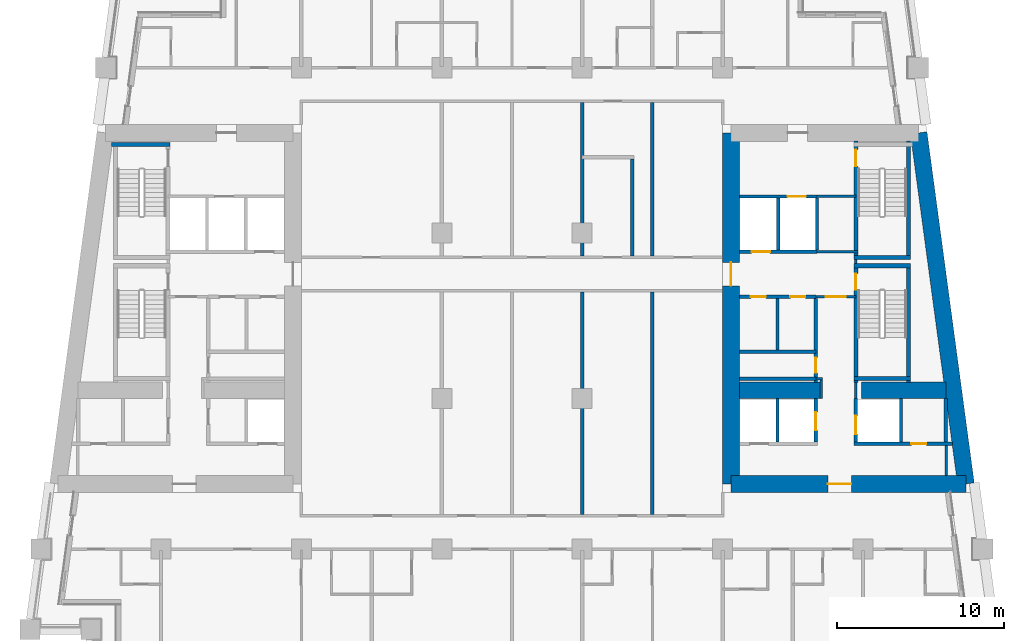
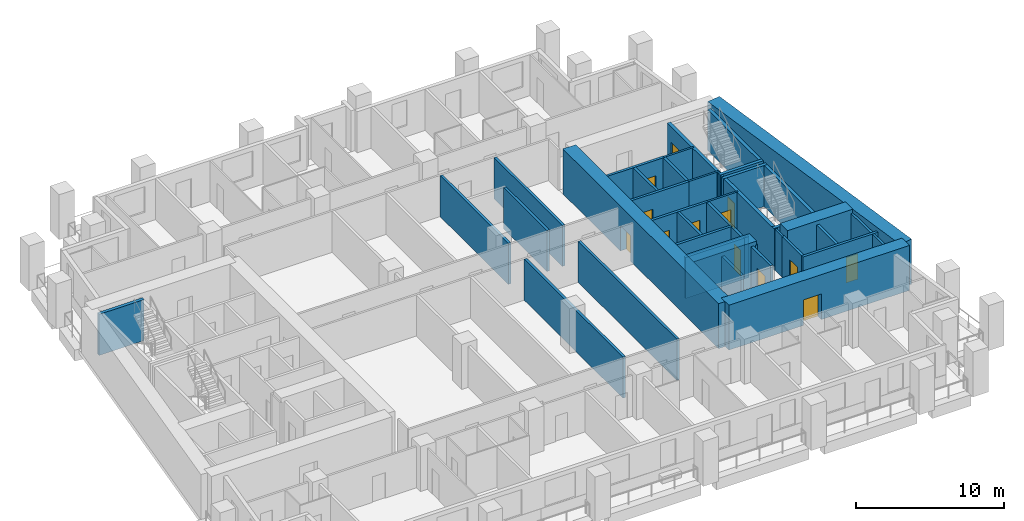
# One storey, part 5 of 13: 41 walls, 13 doors, 13 openings.
"""IFC4 building model written with IfcOpenShell, lengths in metres."""

from ifc_helpers import new_model, si_unit, direction, frame, frame_2d, origin, place, context, subcontext, project, spatial, rectangle, extrude, material, layer, layer_set, type_object, element, fill, save


model = new_model("IFC4")

# Units and contexts
model_context = context("Model", 3, precision=1e-05, world=origin(), true_north=direction((0.0, 1.0)))
body_context = subcontext(model_context, "Body", "Model", "MODEL_VIEW")
ifc_project = project(units=[si_unit("LENGTHUNIT", "METRE"), si_unit("AREAUNIT", "SQUARE_METRE"), si_unit("VOLUMEUNIT", "CUBIC_METRE"), si_unit("PLANEANGLEUNIT", "RADIAN"), si_unit("MASSUNIT", "GRAM", prefix="KILO")], contexts=[model_context])

# Site, building, storey
site_placement = place(None, origin())
site = spatial("IfcSite", under=ifc_project, at=site_placement, CompositionType="ELEMENT")
building_placement = place(site_placement, origin())
building = spatial("IfcBuilding", under=site, at=building_placement, Name="Candeia Pilgrim Tower and Theatre", CompositionType="ELEMENT")
storey_placement = place(building_placement, frame((0.0, 0.0, 109.5)))
storey = spatial("IfcBuildingStorey", under=building, at=storey_placement, Name="L25", CompositionType="ELEMENT", Elevation=109.5)

# Wall
ifc_material_1 = material(Name="Concrete C70/85", Category="concrete")
ifc_layer_1 = layer(ifc_material_1, 1.0)
ifc_layer_set_1 = layer_set([ifc_layer_1], Name="Core wall 1000 C70/85")
wall_type_1 = type_object("IfcWallType", Name="Core wall 1000 C70/85", PredefinedType="SHEAR", material=ifc_layer_set_1)
wall_1_placement = place(storey_placement, frame((137.73193359375, 131.89990234375, 0.0), z_axis=(0.0, 0.0, 1.0), x_axis=(0.133411141623, -0.991060778808, 0.0)))
element("IfcWall", 1, at=wall_1_placement, inside=storey, type_object=wall_type_1, Name="Core wall E2", PredefinedType="SHEAR", context=body_context, shape_type="SweptSolid", body=[
    extrude(rectangle(XDim=21.189453125, YDim=1.0, at=frame_2d((10.5947265625, 0.0))), origin(), (0.0, 0.0, 1.0), 3.699951171875),
])

# Wall, opening, door
wall_2_placement = place(storey_placement, frame((140.558837890625, 110.89990234375, 0.0), z_axis=(0.0, 0.0, 1.0), x_axis=(-1.0, 0.0, 0.0)))
wall_2 = element("IfcWall", 2, at=wall_2_placement, inside=storey, type_object=wall_type_1, Name="Core wall E3", PredefinedType="SHEAR", context=body_context, shape_type="SweptSolid", body=[
    extrude(rectangle(XDim=14.058837890625, YDim=1.0, at=frame_2d((7.029296875, 0.0))), origin(), (0.0, 0.0, 1.0), 3.699951171875),
])
opening_1_placement = place(wall_2_placement, frame((6.857666015625, 0.0, 0.0)))
opening_1 = element("IfcOpeningElement", 3, at=opening_1_placement, cuts=wall_2, Name="Opening L25-D064", PredefinedType="OPENING", context=body_context, shape_type="SweptSolid", body=[
    extrude(rectangle(XDim=1.39990234375, YDim=2.10009765625, at=frame_2d((0.699951171875, 1.050048828125))), frame((0.0, 0.510009765625, 0.0), z_axis=(0.0, -1.0, 0.0), x_axis=(1.0, 0.0, 0.0)), (0.0, 0.0, 1.0), 1.02001953125),
])
ifc_material_2 = material(Name="Steel fire door set", Category="steel")
door_type_1 = type_object("IfcDoorType", Name="D-1400-FD60", OperationType="NOTDEFINED", PredefinedType="DOOR", material=ifc_material_2)
door_1_placement = place(opening_1_placement, origin())
door_1 = element("IfcDoor", 4, at=door_1_placement, inside=storey, type_object=door_type_1, Name="Door L25-D064", OperationType="SINGLE_SWING_LEFT", OverallHeight=2.10009765625, OverallWidth=1.39990234375, PredefinedType="DOOR", context=body_context, shape_type="SweptSolid", body=[
    extrude(rectangle(XDim=1.39990234375, YDim=2.10009765625, at=frame_2d((0.699951171875, 1.050048828125))), frame((0.0, 0.02490234375, 0.0), z_axis=(0.0, -1.0, 0.0), x_axis=(1.0, 0.0, 0.0)), (0.0, 0.0, 1.0), 0.050048828125),
])
fill(opening_1, door_1)

wall_3_placement = place(storey_placement, frame((126.5, 110.89990234375, 0.0), z_axis=(0.0, 0.0, 1.0), x_axis=(0.0, 1.0, 0.0)))
wall_3 = element("IfcWall", 5, at=wall_3_placement, inside=storey, type_object=wall_type_1, Name="Core wall E4", PredefinedType="SHEAR", context=body_context, shape_type="SweptSolid", body=[
    extrude(rectangle(XDim=21.0, YDim=1.0, at=frame_2d((10.5, 0.0))), origin(), (0.0, 0.0, 1.0), 3.699951171875),
])
opening_2_placement = place(wall_3_placement, frame((11.85009765625, 0.0, 0.0)))
opening_2 = element("IfcOpeningElement", 6, at=opening_2_placement, cuts=wall_3, Name="Opening L25-D066", PredefinedType="OPENING", context=body_context, shape_type="SweptSolid", body=[
    extrude(rectangle(XDim=1.39990234375, YDim=2.10009765625, at=frame_2d((0.699951171875, 1.050048828125))), frame((0.0, 0.510009765625, 0.0), z_axis=(0.0, -1.0, 0.0), x_axis=(1.0, 0.0, 0.0)), (0.0, 0.0, 1.0), 1.02001953125),
])
door_2_placement = place(opening_2_placement, origin())
door_2 = element("IfcDoor", 7, at=door_2_placement, inside=storey, type_object=door_type_1, Name="Door L25-D066", OperationType="SINGLE_SWING_LEFT", OverallHeight=2.10009765625, OverallWidth=1.39990234375, PredefinedType="DOOR", context=body_context, shape_type="SweptSolid", body=[
    extrude(rectangle(XDim=1.39990234375, YDim=2.10009765625, at=frame_2d((0.699951171875, 1.050048828125))), frame((0.0, 0.02490234375, 0.0), z_axis=(0.0, -1.0, 0.0), x_axis=(1.0, 0.0, 0.0)), (0.0, 0.0, 1.0), 0.050048828125),
])
fill(opening_2, door_2)

# Walls
wall_4_placement = place(storey_placement, frame((127.0, 116.5, 0.0), z_axis=(0.0, 0.0, 1.0), x_axis=(1.0, 0.0, 0.0)))
element("IfcWall", 8, at=wall_4_placement, inside=storey, type_object=wall_type_1, Name="Core wall E5", PredefinedType="SHEAR", context=body_context, shape_type="SweptSolid", body=[
    extrude(rectangle(XDim=4.89990234375, YDim=1.0, at=frame_2d((2.449951171875, 0.0))), origin(), (0.0, 0.0, 1.0), 3.699951171875),
])
wall_5_placement = place(storey_placement, frame((134.300048828125, 116.5, 0.0), z_axis=(0.0, 0.0, 1.0), x_axis=(1.0, 0.0, 0.0)))
element("IfcWall", 9, at=wall_5_placement, inside=storey, type_object=wall_type_1, Name="Core wall E6", PredefinedType="SHEAR", context=body_context, shape_type="SweptSolid", body=[
    extrude(rectangle(XDim=5.076904296875, YDim=1.0, at=frame_2d((2.53857421875, 0.0))), origin(), (0.0, 0.0, 1.0), 3.699951171875),
])
ifc_material_3 = material(Name="Gypsum board partition on steel studs", Category="steel")
ifc_layer_2 = layer(ifc_material_3, 0.14990234375)
ifc_layer_set_2 = layer_set([ifc_layer_2], Name="PW-150 lobby wall")
wall_type_2 = type_object("IfcWallType", Name="PW-150 lobby wall", PredefinedType="PARTITIONING", material=ifc_layer_set_2)
wall_6_placement = place(storey_placement, frame((131.572998046875, 117.199951171875, 0.0), z_axis=(0.0, 0.0, 1.0), x_axis=(1.0, 0.0, 0.0)))
element("IfcWall", 10, at=wall_6_placement, inside=storey, type_object=wall_type_2, Name="Lobby wall L25-016", PredefinedType="PARTITIONING", context=body_context, shape_type="SweptSolid", body=[
    extrude(rectangle(XDim=0.402099609375, YDim=0.14990234375, at=frame_2d((0.201171875, 0.0))), origin(), (0.0, 0.0, 1.0), 3.3798828125),
])

# Wall, opening, door
wall_7_placement = place(storey_placement, frame((131.572998046875, 122.10009765625, 0.0), z_axis=(0.0, 0.0, 1.0), x_axis=(1.0, 0.0, 0.0)))
wall_7 = element("IfcWall", 11, at=wall_7_placement, inside=storey, type_object=wall_type_2, Name="Lobby wall L25-024", PredefinedType="PARTITIONING", context=body_context, shape_type="SweptSolid", body=[
    extrude(rectangle(XDim=2.39990234375, YDim=0.14990234375, at=frame_2d((1.199951171875, 0.0))), origin(), (0.0, 0.0, 1.0), 3.3798828125),
])
opening_3_placement = place(wall_7_placement, frame((0.60009765625, 0.0, 0.0)))
opening_3 = element("IfcOpeningElement", 12, at=opening_3_placement, cuts=wall_7, Name="Opening L25-D010", PredefinedType="OPENING", context=body_context, shape_type="SweptSolid", body=[
    extrude(rectangle(XDim=1.199951171875, YDim=2.10009765625, at=frame_2d((0.60009765625, 1.050048828125))), frame((0.0, 0.0849609375, 0.0), z_axis=(0.0, -1.0, 0.0), x_axis=(1.0, 0.0, 0.0)), (0.0, 0.0, 1.0), 0.169921875),
])
door_type_2 = type_object("IfcDoorType", Name="D-1200-FD60", OperationType="NOTDEFINED", PredefinedType="DOOR", material=ifc_material_2)
door_3_placement = place(opening_3_placement, origin())
door_3 = element("IfcDoor", 13, at=door_3_placement, inside=storey, type_object=door_type_2, Name="Door L25-D010", OperationType="SINGLE_SWING_RIGHT", OverallHeight=2.10009765625, OverallWidth=1.199951171875, PredefinedType="DOOR", context=body_context, shape_type="SweptSolid", body=[
    extrude(rectangle(XDim=1.199951171875, YDim=2.10009765625, at=frame_2d((0.60009765625, 1.050048828125))), frame((0.0, 0.02490234375, 0.0), z_axis=(0.0, -1.0, 0.0), x_axis=(1.0, 0.0, 0.0)), (0.0, 0.0, 1.0), 0.050048828125),
])
fill(opening_3, door_3)

# Walls
wall_8_placement = place(storey_placement, frame((131.648681640625, 124.800048828125, 0.0), z_axis=(0.0, 0.0, 1.0), x_axis=(1.0, 0.0, 0.0)))
element("IfcWall", 14, at=wall_8_placement, inside=storey, type_object=wall_type_2, Name="Lobby wall L25-033", PredefinedType="PARTITIONING", context=body_context, shape_type="SweptSolid", body=[
    extrude(rectangle(XDim=2.44921875, YDim=0.14990234375, at=frame_2d((1.224609375, 0.0))), origin(), (0.0, 0.0, 1.0), 3.3798828125),
])
wall_9_placement = place(storey_placement, frame((131.648681640625, 128.10009765625, 0.0), z_axis=(0.0, 0.0, 1.0), x_axis=(1.0, 0.0, 0.0)))
element("IfcWall", 15, at=wall_9_placement, inside=storey, type_object=wall_type_2, Name="Lobby wall L25-036", PredefinedType="PARTITIONING", context=body_context, shape_type="SweptSolid", body=[
    extrude(rectangle(XDim=2.32421875, YDim=0.14990234375, at=frame_2d((1.162109375, 0.0))), origin(), (0.0, 0.0, 1.0), 3.3798828125),
])
wall_10_placement = place(storey_placement, frame((131.89990234375, 116.0, 0.0), z_axis=(0.0, 0.0, 1.0), x_axis=(0.0, 1.0, 0.0)))
element("IfcWall", 16, at=wall_10_placement, inside=storey, type_object=wall_type_2, Name="Lobby wall L25-110", PredefinedType="PARTITIONING", context=body_context, shape_type="SweptSolid", body=[
    extrude(rectangle(XDim=1.125, YDim=0.14990234375, at=frame_2d((0.5625, 0.0))), origin(), (0.0, 0.0, 1.0), 3.3798828125),
])
wall_11_placement = place(storey_placement, frame((133.972900390625, 116.0, 0.0), z_axis=(0.0, 0.0, 1.0), x_axis=(0.0, 1.0, 0.0)))
element("IfcWall", 17, at=wall_11_placement, inside=storey, type_object=wall_type_2, Name="Lobby wall L25-114", PredefinedType="PARTITIONING", context=body_context, shape_type="SweptSolid", body=[
    extrude(rectangle(XDim=0.969970703125, YDim=0.14990234375, at=frame_2d((0.48486328125, 0.0))), origin(), (0.0, 0.0, 1.0), 3.3798828125),
])
wall_12_placement = place(storey_placement, frame((133.972900390625, 124.074951171875, 0.0), z_axis=(0.0, 0.0, 1.0), x_axis=(0.0, 1.0, 0.0)))
element("IfcWall", 18, at=wall_12_placement, inside=storey, type_object=wall_type_2, Name="Lobby wall L25-115", PredefinedType="PARTITIONING", context=body_context, shape_type="SweptSolid", body=[
    extrude(rectangle(XDim=0.25, YDim=0.14990234375, at=frame_2d((0.125, 0.0))), origin(), (0.0, 0.0, 1.0), 3.3798828125),
])
wall_13_placement = place(storey_placement, frame((139.37109375, 111.39990234375, 0.0), z_axis=(0.0, 0.0, 1.0), x_axis=(0.0, 1.0, 0.0)))
element("IfcWall", 19, at=wall_13_placement, inside=storey, type_object=wall_type_2, Name="Lobby wall L25-124", PredefinedType="PARTITIONING", context=body_context, shape_type="SweptSolid", body=[
    extrude(rectangle(XDim=1.800048828125, YDim=0.14990234375, at=frame_2d((0.89990234375, 0.0))), origin(), (0.0, 0.0, 1.0), 3.3798828125),
])
ifc_layer_3 = layer(ifc_material_3, 0.199951171875)
ifc_layer_set_3 = layer_set([ifc_layer_3], Name="PW-200 party wall")
wall_type_3 = type_object("IfcWallType", Name="PW-200 party wall", PredefinedType="PARTITIONING", material=ifc_layer_set_3)
wall_14_placement = place(storey_placement, frame((117.60009765625, 109.074951171875, 0.0), z_axis=(0.0, 0.0, 1.0), x_axis=(0.0, 1.0, 0.0)))
element("IfcWall", 20, at=wall_14_placement, inside=storey, type_object=wall_type_3, Name="Party wall L25-086", PredefinedType="PARTITIONING", context=body_context, shape_type="SweptSolid", body=[
    extrude(rectangle(XDim=13.300048828125, YDim=0.199951171875, at=frame_2d((6.64990234375, 0.0))), origin(), (0.0, 0.0, 1.0), 3.3798828125),
])
wall_15_placement = place(storey_placement, frame((117.60009765625, 124.52490234375, 0.0), z_axis=(0.0, 0.0, 1.0), x_axis=(0.0, 1.0, 0.0)))
element("IfcWall", 21, at=wall_15_placement, inside=storey, type_object=wall_type_3, Name="Party wall L25-087", PredefinedType="PARTITIONING", context=body_context, shape_type="SweptSolid", body=[
    extrude(rectangle(XDim=9.2001953125, YDim=0.199951171875, at=frame_2d((4.60009765625, 0.0))), origin(), (0.0, 0.0, 1.0), 3.3798828125),
])
wall_16_placement = place(storey_placement, frame((120.60009765625, 124.52490234375, 0.0), z_axis=(0.0, 0.0, 1.0), x_axis=(0.0, 1.0, 0.0)))
element("IfcWall", 22, at=wall_16_placement, inside=storey, type_object=wall_type_3, Name="Party wall L25-091", PredefinedType="PARTITIONING", context=body_context, shape_type="SweptSolid", body=[
    extrude(rectangle(XDim=5.8251953125, YDim=0.199951171875, at=frame_2d((2.91259765625, 0.0))), origin(), (0.0, 0.0, 1.0), 3.3798828125),
])
wall_17_placement = place(storey_placement, frame((121.800048828125, 109.074951171875, 0.0), z_axis=(0.0, 0.0, 1.0), x_axis=(0.0, 1.0, 0.0)))
element("IfcWall", 23, at=wall_17_placement, inside=storey, type_object=wall_type_3, Name="Party wall L25-093", PredefinedType="PARTITIONING", context=body_context, shape_type="SweptSolid", body=[
    extrude(rectangle(XDim=13.300048828125, YDim=0.199951171875, at=frame_2d((6.64990234375, 0.0))), origin(), (0.0, 0.0, 1.0), 3.3798828125),
])
wall_18_placement = place(storey_placement, frame((121.800048828125, 124.52490234375, 0.0), z_axis=(0.0, 0.0, 1.0), x_axis=(0.0, 1.0, 0.0)))
element("IfcWall", 24, at=wall_18_placement, inside=storey, type_object=wall_type_3, Name="Party wall L25-094", PredefinedType="PARTITIONING", context=body_context, shape_type="SweptSolid", body=[
    extrude(rectangle(XDim=9.2001953125, YDim=0.199951171875, at=frame_2d((4.60009765625, 0.0))), origin(), (0.0, 0.0, 1.0), 3.3798828125),
])

# Wall, opening, door
ifc_material_4 = material(Name="Concrete C40/50", Category="concrete")
ifc_layer_4 = layer(ifc_material_4, 0.199951171875)
ifc_layer_set_4 = layer_set([ifc_layer_4], Name="SW-200 shaft wall")
wall_type_4 = type_object("IfcWallType", Name="SW-200 shaft wall", PredefinedType="PARTITIONING", material=ifc_layer_set_4)
wall_19_placement = place(storey_placement, frame((133.873046875, 113.300048828125, 0.0), z_axis=(0.0, 0.0, 1.0), x_axis=(1.0, 0.0, 0.0)))
wall_19 = element("IfcWall", 25, at=wall_19_placement, inside=storey, type_object=wall_type_4, Name="Shaft wall L25-012", PredefinedType="PARTITIONING", context=body_context, shape_type="SweptSolid", body=[
    extrude(rectangle(XDim=5.888427734375, YDim=0.199951171875, at=frame_2d((2.9443359375, 0.0))), origin(), (0.0, 0.0, 1.0), 3.3798828125),
])
opening_4_placement = place(wall_19_placement, frame((3.424072265625, 0.0, 0.0)))
opening_4 = element("IfcOpeningElement", 26, at=opening_4_placement, cuts=wall_19, Name="Opening L25-D016", PredefinedType="OPENING", context=body_context, shape_type="SweptSolid", body=[
    extrude(rectangle(XDim=0.89990234375, YDim=2.10009765625, at=frame_2d((0.449951171875, 1.050048828125))), frame((0.0, 0.10986328125, 0.0), z_axis=(0.0, -1.0, 0.0), x_axis=(1.0, 0.0, 0.0)), (0.0, 0.0, 1.0), 0.219970703125),
])
door_type_3 = type_object("IfcDoorType", Name="D-900-FD60", OperationType="NOTDEFINED", PredefinedType="DOOR", material=ifc_material_2)
door_4_placement = place(opening_4_placement, origin())
door_4 = element("IfcDoor", 27, at=door_4_placement, inside=storey, type_object=door_type_3, Name="Door L25-D016", OperationType="SINGLE_SWING_LEFT", OverallHeight=2.10009765625, OverallWidth=0.89990234375, PredefinedType="DOOR", context=body_context, shape_type="SweptSolid", body=[
    extrude(rectangle(XDim=0.89990234375, YDim=2.10009765625, at=frame_2d((0.449951171875, 1.050048828125))), frame((0.0, 0.02490234375, 0.0), z_axis=(0.0, -1.0, 0.0), x_axis=(1.0, 0.0, 0.0)), (0.0, 0.0, 1.0), 0.050048828125),
])
fill(opening_4, door_4)

# Walls
for number, where, z_axis, x_axis, name in (
    (28, (127.0, 117.199951171875, 0.0), (0.0, 0.0, 1.0), (1.0, 0.0, 0.0), "Shaft wall L25-014"),
    (29, (127.0, 118.800048828125, 0.0), (0.0, 0.0, 1.0), (1.0, 0.0, 0.0), "Shaft wall L25-020"),
):
    element("IfcWall", number, at=place(storey_placement, frame(where, z_axis=z_axis, x_axis=x_axis)), inside=storey, type_object=wall_type_4, Name=name, PredefinedType="PARTITIONING", context=body_context, shape_type="SweptSolid", body=[
        extrude(rectangle(XDim=4.572998046875, YDim=0.199951171875, at=frame_2d((2.28662109375, 0.0))), origin(), (0.0, 0.0, 1.0), 3.3798828125),
    ])

# Wall, openings, doors
wall_20_placement = place(storey_placement, frame((127.0, 122.10009765625, 0.0), z_axis=(0.0, 0.0, 1.0), x_axis=(1.0, 0.0, 0.0)))
wall_20 = element("IfcWall", 30, at=wall_20_placement, inside=storey, type_object=wall_type_4, Name="Shaft wall L25-022", PredefinedType="PARTITIONING", context=body_context, shape_type="SweptSolid", body=[
    extrude(rectangle(XDim=4.572998046875, YDim=0.199951171875, at=frame_2d((2.28662109375, 0.0))), origin(), (0.0, 0.0, 1.0), 3.3798828125),
])
opening_5_placement = place(wall_20_placement, frame((3.048095703125, 0.0, 0.0)))
opening_5 = element("IfcOpeningElement", 31, at=opening_5_placement, cuts=wall_20, Name="Opening L25-D011", PredefinedType="OPENING", context=body_context, shape_type="SweptSolid", body=[
    extrude(rectangle(XDim=0.89990234375, YDim=2.10009765625, at=frame_2d((0.449951171875, 1.050048828125))), frame((0.0, 0.10986328125, 0.0), z_axis=(0.0, -1.0, 0.0), x_axis=(1.0, 0.0, 0.0)), (0.0, 0.0, 1.0), 0.219970703125),
])
opening_6_placement = place(wall_20_placement, frame((0.693115234375, 0.0, 0.0)))
opening_6 = element("IfcOpeningElement", 32, at=opening_6_placement, cuts=wall_20, Name="Opening L25-D012", PredefinedType="OPENING", context=body_context, shape_type="SweptSolid", body=[
    extrude(rectangle(XDim=0.89990234375, YDim=2.10009765625, at=frame_2d((0.449951171875, 1.050048828125))), frame((0.0, 0.10986328125, 0.0), z_axis=(0.0, -1.0, 0.0), x_axis=(1.0, 0.0, 0.0)), (0.0, 0.0, 1.0), 0.219970703125),
])
door_5_placement = place(opening_5_placement, origin())
door_5 = element("IfcDoor", 33, at=door_5_placement, inside=storey, type_object=door_type_3, Name="Door L25-D011", OperationType="SINGLE_SWING_LEFT", OverallHeight=2.10009765625, OverallWidth=0.89990234375, PredefinedType="DOOR", context=body_context, shape_type="SweptSolid", body=[
    extrude(rectangle(XDim=0.89990234375, YDim=2.10009765625, at=frame_2d((0.449951171875, 1.050048828125))), frame((0.0, 0.02490234375, 0.0), z_axis=(0.0, -1.0, 0.0), x_axis=(1.0, 0.0, 0.0)), (0.0, 0.0, 1.0), 0.050048828125),
])
fill(opening_5, door_5)
door_6_placement = place(opening_6_placement, origin())
door_6 = element("IfcDoor", 34, at=door_6_placement, inside=storey, type_object=door_type_3, Name="Door L25-D012", OperationType="SINGLE_SWING_RIGHT", OverallHeight=2.10009765625, OverallWidth=0.89990234375, PredefinedType="DOOR", context=body_context, shape_type="SweptSolid", body=[
    extrude(rectangle(XDim=0.89990234375, YDim=2.10009765625, at=frame_2d((0.449951171875, 1.050048828125))), frame((0.0, 0.02490234375, 0.0), z_axis=(0.0, -1.0, 0.0), x_axis=(1.0, 0.0, 0.0)), (0.0, 0.0, 1.0), 0.050048828125),
])
fill(opening_6, door_6)

# Wall, opening, door
wall_21_placement = place(storey_placement, frame((127.0, 124.800048828125, 0.0), z_axis=(0.0, 0.0, 1.0), x_axis=(1.0, 0.0, 0.0)))
wall_21 = element("IfcWall", 35, at=wall_21_placement, inside=storey, type_object=wall_type_4, Name="Shaft wall L25-032", PredefinedType="PARTITIONING", context=body_context, shape_type="SweptSolid", body=[
    extrude(rectangle(XDim=4.648681640625, YDim=0.199951171875, at=frame_2d((2.32421875, 0.0))), origin(), (0.0, 0.0, 1.0), 3.3798828125),
])
opening_7_placement = place(wall_21_placement, frame((0.742919921875, 0.0, 0.0)))
opening_7 = element("IfcOpeningElement", 36, at=opening_7_placement, cuts=wall_21, Name="Opening L25-LD05", PredefinedType="OPENING", context=body_context, shape_type="SweptSolid", body=[
    extrude(rectangle(XDim=1.10009765625, YDim=2.10009765625, at=frame_2d((0.550048828125, 1.050048828125))), frame((0.0, 0.10986328125, 0.0), z_axis=(0.0, -1.0, 0.0), x_axis=(1.0, 0.0, 0.0)), (0.0, 0.0, 1.0), 0.219970703125),
])
ifc_material_5 = material(Name="Glazed aluminium landing door", Category="aluminium")
door_type_4 = type_object("IfcDoorType", Name="LD-1100-EI120", OperationType="SLIDING_TO_LEFT", PredefinedType="DOOR", material=ifc_material_5)
door_7_placement = place(opening_7_placement, origin())
door_7 = element("IfcDoor", 37, at=door_7_placement, inside=storey, type_object=door_type_4, Name="Landing door 05 L25", OperationType="SLIDING_TO_LEFT", OverallHeight=2.10009765625, OverallWidth=1.10009765625, PredefinedType="DOOR", context=body_context, shape_type="SweptSolid", body=[
    extrude(rectangle(XDim=1.10009765625, YDim=2.10009765625, at=frame_2d((0.550048828125, 1.050048828125))), frame((0.0, 0.02490234375, 0.0), z_axis=(0.0, -1.0, 0.0), x_axis=(1.0, 0.0, 0.0)), (0.0, 0.0, 1.0), 0.050048828125),
])
fill(opening_7, door_7)

wall_22_placement = place(storey_placement, frame((127.0, 128.10009765625, 0.0), z_axis=(0.0, 0.0, 1.0), x_axis=(1.0, 0.0, 0.0)))
wall_22 = element("IfcWall", 38, at=wall_22_placement, inside=storey, type_object=wall_type_4, Name="Shaft wall L25-035", PredefinedType="PARTITIONING", context=body_context, shape_type="SweptSolid", body=[
    extrude(rectangle(XDim=4.648681640625, YDim=0.199951171875, at=frame_2d((2.32421875, 0.0))), origin(), (0.0, 0.0, 1.0), 3.3798828125),
])
opening_8_placement = place(wall_22_placement, frame((2.884033203125, 0.0, 0.0)))
opening_8 = element("IfcOpeningElement", 39, at=opening_8_placement, cuts=wall_22, Name="Opening L25-LD04", PredefinedType="OPENING", context=body_context, shape_type="SweptSolid", body=[
    extrude(rectangle(XDim=1.10009765625, YDim=2.10009765625, at=frame_2d((0.550048828125, 1.050048828125))), frame((0.0, 0.10986328125, 0.0), z_axis=(0.0, -1.0, 0.0), x_axis=(1.0, 0.0, 0.0)), (0.0, 0.0, 1.0), 0.219970703125),
])
door_8_placement = place(opening_8_placement, origin())
door_8 = element("IfcDoor", 40, at=door_8_placement, inside=storey, type_object=door_type_4, Name="Landing door 04 L25", OperationType="SLIDING_TO_LEFT", OverallHeight=2.10009765625, OverallWidth=1.10009765625, PredefinedType="DOOR", context=body_context, shape_type="SweptSolid", body=[
    extrude(rectangle(XDim=1.10009765625, YDim=2.10009765625, at=frame_2d((0.550048828125, 1.050048828125))), frame((0.0, 0.02490234375, 0.0), z_axis=(0.0, -1.0, 0.0), x_axis=(1.0, 0.0, 0.0)), (0.0, 0.0, 1.0), 0.050048828125),
])
fill(opening_8, door_8)

# Walls
wall_23_placement = place(storey_placement, frame((129.28662109375, 113.39990234375, 0.0), z_axis=(0.0, 0.0, 1.0), x_axis=(0.0, 1.0, 0.0)))
element("IfcWall", 41, at=wall_23_placement, inside=storey, type_object=wall_type_4, Name="Shaft wall L25-102", PredefinedType="PARTITIONING", context=body_context, shape_type="SweptSolid", body=[
    extrude(rectangle(XDim=2.60009765625, YDim=0.199951171875, at=frame_2d((1.300048828125, 0.0))), origin(), (0.0, 0.0, 1.0), 3.3798828125),
])
for number, where, z_axis, x_axis, name in (
    (42, (129.28662109375, 118.89990234375, 0.0), (0.0, 0.0, 1.0), (0.0, 1.0, 0.0), "Shaft wall L25-103"),
    (43, (129.32421875, 124.89990234375, 0.0), (0.0, 0.0, 1.0), (0.0, 1.0, 0.0), "Shaft wall L25-104"),
):
    element("IfcWall", number, at=place(storey_placement, frame(where, z_axis=z_axis, x_axis=x_axis)), inside=storey, type_object=wall_type_4, Name=name, PredefinedType="PARTITIONING", context=body_context, shape_type="SweptSolid", body=[
        extrude(rectangle(XDim=3.10009765625, YDim=0.199951171875, at=frame_2d((1.550048828125, 0.0))), origin(), (0.0, 0.0, 1.0), 3.3798828125),
    ])

# Wall, opening, door
wall_24_placement = place(storey_placement, frame((131.572998046875, 113.39990234375, 0.0), z_axis=(0.0, 0.0, 1.0), x_axis=(0.0, 1.0, 0.0)))
wall_24 = element("IfcWall", 44, at=wall_24_placement, inside=storey, type_object=wall_type_4, Name="Shaft wall L25-107", PredefinedType="PARTITIONING", context=body_context, shape_type="SweptSolid", body=[
    extrude(rectangle(XDim=2.60009765625, YDim=0.199951171875, at=frame_2d((1.300048828125, 0.0))), origin(), (0.0, 0.0, 1.0), 3.3798828125),
])
opening_9_placement = place(wall_24_placement, frame((0.699951171875, 0.0, 0.0)))
opening_9 = element("IfcOpeningElement", 45, at=opening_9_placement, cuts=wall_24, Name="Opening L25-LD07", PredefinedType="OPENING", context=body_context, shape_type="SweptSolid", body=[
    extrude(rectangle(XDim=1.10009765625, YDim=2.10009765625, at=frame_2d((0.550048828125, 1.050048828125))), frame((0.0, 0.10986328125, 0.0), z_axis=(0.0, -1.0, 0.0), x_axis=(1.0, 0.0, 0.0)), (0.0, 0.0, 1.0), 0.219970703125),
])
door_9_placement = place(opening_9_placement, origin())
door_9 = element("IfcDoor", 46, at=door_9_placement, inside=storey, type_object=door_type_4, Name="Landing door 07 L25", OperationType="SLIDING_TO_LEFT", OverallHeight=2.10009765625, OverallWidth=1.10009765625, PredefinedType="DOOR", context=body_context, shape_type="SweptSolid", body=[
    extrude(rectangle(XDim=1.10009765625, YDim=2.10009765625, at=frame_2d((0.550048828125, 1.050048828125))), frame((0.0, 0.02490234375, 0.0), z_axis=(0.0, -1.0, 0.0), x_axis=(1.0, 0.0, 0.0)), (0.0, 0.0, 1.0), 0.050048828125),
])
fill(opening_9, door_9)

wall_25_placement = place(storey_placement, frame((131.572998046875, 116.969970703125, 0.0), z_axis=(0.0, 0.0, 1.0), x_axis=(0.0, 1.0, 0.0)))
wall_25 = element("IfcWall", 47, at=wall_25_placement, inside=storey, type_object=wall_type_4, Name="Shaft wall L25-108", PredefinedType="PARTITIONING", context=body_context, shape_type="SweptSolid", body=[
    extrude(rectangle(XDim=5.030029296875, YDim=0.199951171875, at=frame_2d((2.51513671875, 0.0))), origin(), (0.0, 0.0, 1.0), 3.3798828125),
])
opening_10_placement = place(wall_25_placement, frame((0.580078125, 0.0, 0.0)))
opening_10 = element("IfcOpeningElement", 48, at=opening_10_placement, cuts=wall_25, Name="Opening L25-D015", PredefinedType="OPENING", context=body_context, shape_type="SweptSolid", body=[
    extrude(rectangle(XDim=0.89990234375, YDim=2.10009765625, at=frame_2d((0.449951171875, 1.050048828125))), frame((0.0, 0.10986328125, 0.0), z_axis=(0.0, -1.0, 0.0), x_axis=(1.0, 0.0, 0.0)), (0.0, 0.0, 1.0), 0.219970703125),
])
door_10_placement = place(opening_10_placement, origin())
door_10 = element("IfcDoor", 49, at=door_10_placement, inside=storey, type_object=door_type_3, Name="Door L25-D015", OperationType="SINGLE_SWING_LEFT", OverallHeight=2.10009765625, OverallWidth=0.89990234375, PredefinedType="DOOR", context=body_context, shape_type="SweptSolid", body=[
    extrude(rectangle(XDim=0.89990234375, YDim=2.10009765625, at=frame_2d((0.449951171875, 1.050048828125))), frame((0.0, 0.02490234375, 0.0), z_axis=(0.0, -1.0, 0.0), x_axis=(1.0, 0.0, 0.0)), (0.0, 0.0, 1.0), 0.050048828125),
])
fill(opening_10, door_10)

# Wall
wall_26_placement = place(storey_placement, frame((131.648681640625, 124.89990234375, 0.0), z_axis=(0.0, 0.0, 1.0), x_axis=(0.0, 1.0, 0.0)))
element("IfcWall", 50, at=wall_26_placement, inside=storey, type_object=wall_type_4, Name="Shaft wall L25-109", PredefinedType="PARTITIONING", context=body_context, shape_type="SweptSolid", body=[
    extrude(rectangle(XDim=3.10009765625, YDim=0.199951171875, at=frame_2d((1.550048828125, 0.0))), origin(), (0.0, 0.0, 1.0), 3.3798828125),
])

# Wall, opening, door
wall_27_placement = place(storey_placement, frame((133.972900390625, 113.39990234375, 0.0), z_axis=(0.0, 0.0, 1.0), x_axis=(0.0, 1.0, 0.0)))
wall_27 = element("IfcWall", 51, at=wall_27_placement, inside=storey, type_object=wall_type_4, Name="Shaft wall L25-113", PredefinedType="PARTITIONING", context=body_context, shape_type="SweptSolid", body=[
    extrude(rectangle(XDim=2.60009765625, YDim=0.199951171875, at=frame_2d((1.300048828125, 0.0))), origin(), (0.0, 0.0, 1.0), 3.3798828125),
])
opening_11_placement = place(wall_27_placement, frame((0.47509765625, 0.0, 0.0)))
opening_11 = element("IfcOpeningElement", 52, at=opening_11_placement, cuts=wall_27, Name="Opening L25-LD06", PredefinedType="OPENING", context=body_context, shape_type="SweptSolid", body=[
    extrude(rectangle(XDim=1.10009765625, YDim=2.10009765625, at=frame_2d((0.550048828125, 1.050048828125))), frame((0.0, 0.10986328125, 0.0), z_axis=(0.0, -1.0, 0.0), x_axis=(1.0, 0.0, 0.0)), (0.0, 0.0, 1.0), 0.219970703125),
])
door_11_placement = place(opening_11_placement, origin())
door_11 = element("IfcDoor", 53, at=door_11_placement, inside=storey, type_object=door_type_4, Name="Landing door 06 L25", OperationType="SLIDING_TO_LEFT", OverallHeight=2.10009765625, OverallWidth=1.10009765625, PredefinedType="DOOR", context=body_context, shape_type="SweptSolid", body=[
    extrude(rectangle(XDim=1.10009765625, YDim=2.10009765625, at=frame_2d((0.550048828125, 1.050048828125))), frame((0.0, 0.02490234375, 0.0), z_axis=(0.0, -1.0, 0.0), x_axis=(1.0, 0.0, 0.0)), (0.0, 0.0, 1.0), 0.050048828125),
])
fill(opening_11, door_11)

# Walls
for number, where, z_axis, x_axis, name in (
    (54, (136.672119140625, 113.39990234375, 0.0), (0.0, 0.0, 1.0), (0.0, 1.0, 0.0), "Shaft wall L25-119"),
    (55, (139.348876953125, 113.39990234375, 0.0), (0.0, 0.0, 1.0), (0.0, 1.0, 0.0), "Shaft wall L25-123"),
):
    element("IfcWall", number, at=place(storey_placement, frame(where, z_axis=z_axis, x_axis=x_axis)), inside=storey, type_object=wall_type_4, Name=name, PredefinedType="PARTITIONING", context=body_context, shape_type="SweptSolid", body=[
        extrude(rectangle(XDim=2.60009765625, YDim=0.199951171875, at=frame_2d((1.300048828125, 0.0))), origin(), (0.0, 0.0, 1.0), 3.3798828125),
    ])
ifc_layer_5 = layer(ifc_material_4, 0.25)
ifc_layer_set_5 = layer_set([ifc_layer_5], Name="SW-250 stair wall")
wall_type_5 = type_object("IfcWallType", Name="SW-250 stair wall", PredefinedType="PARTITIONING", material=ifc_layer_set_5)
for number, where, z_axis, x_axis, name in (
    (56, (133.847900390625, 117.199951171875, 0.0), (0.0, 0.0, 1.0), (1.0, 0.0, 0.0), "Stair wall L25-018"),
    (57, (133.847900390625, 123.949951171875, 0.0), (0.0, 0.0, 1.0), (1.0, 0.0, 0.0), "Stair wall L25-027"),
    (58, (133.847900390625, 124.449951171875, 0.0), (0.0, 0.0, 1.0), (1.0, 0.0, 0.0), "Stair wall L25-029"),
):
    element("IfcWall", number, at=place(storey_placement, frame(where, z_axis=z_axis, x_axis=x_axis)), inside=storey, type_object=wall_type_5, Name=name, PredefinedType="PARTITIONING", context=body_context, shape_type="SweptSolid", body=[
        extrude(rectangle(XDim=3.400146484375, YDim=0.25, at=frame_2d((1.7001953125, 0.0))), origin(), (0.0, 0.0, 1.0), 3.3798828125),
    ])
wall_28_placement = place(storey_placement, frame((89.4482421875, 131.199951171875, 0.0), z_axis=(0.0, 0.0, 1.0), x_axis=(1.0, 0.0, 0.0)))
element("IfcWall", 59, at=wall_28_placement, inside=storey, type_object=wall_type_5, Name="Stair wall L25-038", PredefinedType="PARTITIONING", context=body_context, shape_type="SweptSolid", body=[
    extrude(rectangle(XDim=3.503662109375, YDim=0.25, at=frame_2d((1.751953125, 0.0))), origin(), (0.0, 0.0, 1.0), 3.3798828125),
])

# Wall, opening, door
wall_29_placement = place(storey_placement, frame((133.972900390625, 116.969970703125, 0.0), z_axis=(0.0, 0.0, 1.0), x_axis=(0.0, 1.0, 0.0)))
wall_29 = element("IfcWall", 60, at=wall_29_placement, inside=storey, type_object=wall_type_5, Name="Stair wall L25-116", PredefinedType="PARTITIONING", context=body_context, shape_type="SweptSolid", body=[
    extrude(rectangle(XDim=6.85498046875, YDim=0.25, at=frame_2d((3.427490234375, 0.0))), origin(), (0.0, 0.0, 1.0), 3.3798828125),
])
opening_12_placement = place(wall_29_placement, frame((5.554931640625, 0.0, 0.0)))
opening_12 = element("IfcOpeningElement", 61, at=opening_12_placement, cuts=wall_29, Name="Opening L25-D013", PredefinedType="OPENING", context=body_context, shape_type="SweptSolid", body=[
    extrude(rectangle(XDim=0.949951171875, YDim=2.10009765625, at=frame_2d((0.47509765625, 1.050048828125))), frame((0.0, 0.135009765625, 0.0), z_axis=(0.0, -1.0, 0.0), x_axis=(1.0, 0.0, 0.0)), (0.0, 0.0, 1.0), 0.27001953125),
])
door_type_5 = type_object("IfcDoorType", Name="D-950-FD60", OperationType="NOTDEFINED", PredefinedType="DOOR", material=ifc_material_2)
door_12_placement = place(opening_12_placement, origin())
door_12 = element("IfcDoor", 62, at=door_12_placement, inside=storey, type_object=door_type_5, Name="Door L25-D013", OperationType="SINGLE_SWING_LEFT", OverallHeight=2.10009765625, OverallWidth=0.949951171875, PredefinedType="DOOR", context=body_context, shape_type="SweptSolid", body=[
    extrude(rectangle(XDim=0.949951171875, YDim=2.10009765625, at=frame_2d((0.47509765625, 1.050048828125))), frame((0.0, 0.02490234375, 0.0), z_axis=(0.0, -1.0, 0.0), x_axis=(1.0, 0.0, 0.0)), (0.0, 0.0, 1.0), 0.050048828125),
])
fill(opening_12, door_12)

wall_30_placement = place(storey_placement, frame((133.972900390625, 124.574951171875, 0.0), z_axis=(0.0, 0.0, 1.0), x_axis=(0.0, 1.0, 0.0)))
wall_30 = element("IfcWall", 63, at=wall_30_placement, inside=storey, type_object=wall_type_5, Name="Stair wall L25-117", PredefinedType="PARTITIONING", context=body_context, shape_type="SweptSolid", body=[
    extrude(rectangle(XDim=6.85498046875, YDim=0.25, at=frame_2d((3.427490234375, 0.0))), origin(), (0.0, 0.0, 1.0), 3.3798828125),
])
opening_13_placement = place(wall_30_placement, frame((5.324951171875, 0.0, 0.0)))
opening_13 = element("IfcOpeningElement", 64, at=opening_13_placement, cuts=wall_30, Name="Opening L25-D014", PredefinedType="OPENING", context=body_context, shape_type="SweptSolid", body=[
    extrude(rectangle(XDim=1.0, YDim=2.10009765625, at=frame_2d((0.5, 1.050048828125))), frame((0.0, 0.135009765625, 0.0), z_axis=(0.0, -1.0, 0.0), x_axis=(1.0, 0.0, 0.0)), (0.0, 0.0, 1.0), 0.27001953125),
])
door_type_6 = type_object("IfcDoorType", Name="D-1000-FD60", OperationType="NOTDEFINED", PredefinedType="DOOR", material=ifc_material_2)
door_13_placement = place(opening_13_placement, origin())
door_13 = element("IfcDoor", 65, at=door_13_placement, inside=storey, type_object=door_type_6, Name="Door L25-D014", OperationType="SINGLE_SWING_RIGHT", OverallHeight=2.10009765625, OverallWidth=1.0, PredefinedType="DOOR", context=body_context, shape_type="SweptSolid", body=[
    extrude(rectangle(XDim=1.0, YDim=2.10009765625, at=frame_2d((0.5, 1.050048828125))), frame((0.0, 0.02490234375, 0.0), z_axis=(0.0, -1.0, 0.0), x_axis=(1.0, 0.0, 0.0)), (0.0, 0.0, 1.0), 0.050048828125),
])
fill(opening_13, door_13)

# Walls
for number, where, z_axis, x_axis, name in (
    (66, (137.123046875, 116.969970703125, 0.0), (0.0, 0.0, 1.0), (0.0, 1.0, 0.0), "Stair wall L25-120"),
    (67, (137.123046875, 124.574951171875, 0.0), (0.0, 0.0, 1.0), (0.0, 1.0, 0.0), "Stair wall L25-121"),
):
    element("IfcWall", number, at=place(storey_placement, frame(where, z_axis=z_axis, x_axis=x_axis)), inside=storey, type_object=wall_type_5, Name=name, PredefinedType="PARTITIONING", context=body_context, shape_type="SweptSolid", body=[
        extrude(rectangle(XDim=6.85498046875, YDim=0.25, at=frame_2d((3.427490234375, 0.0))), origin(), (0.0, 0.0, 1.0), 3.3798828125),
    ])

save(model, "model.ifc")
